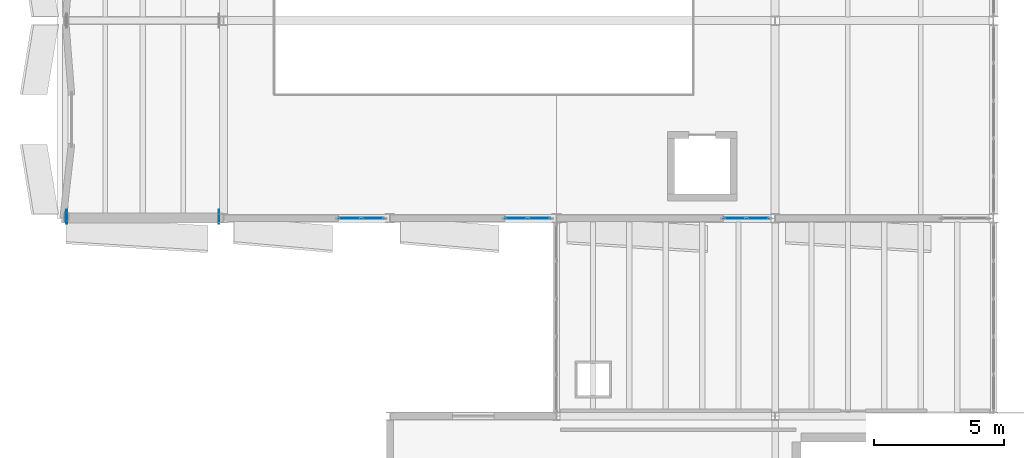
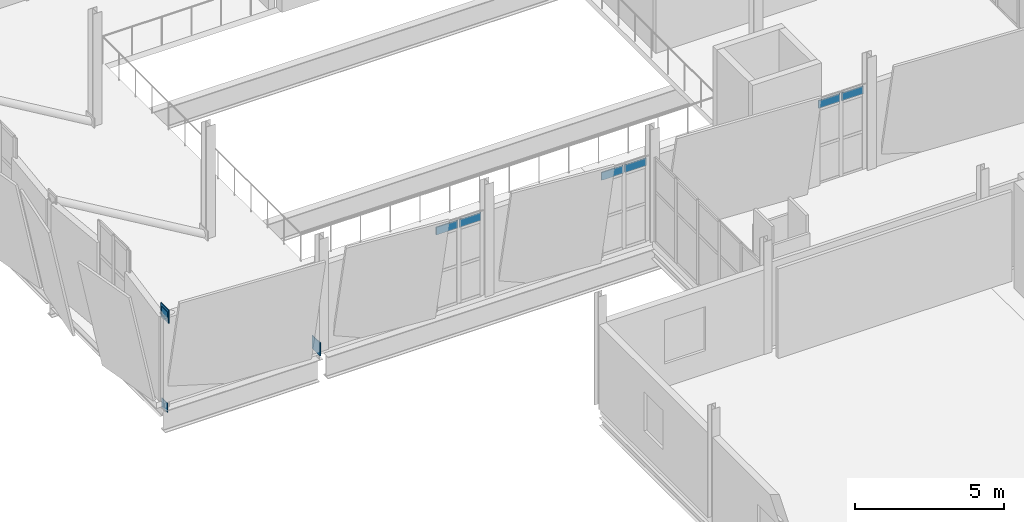
# One storey, part 109 of 136: 10 plates, 3 elements without a shape of their own.
"""IFC4 building model written with IfcOpenShell, lengths in metres."""

from ifc_helpers import new_model, si_unit, direction, frame, origin, origin_2d, place, context, subcontext, project, spatial, rectangle, extrude, material, layer, layer_set, type_object, element, aggregate, save


model = new_model("IFC4")

# Units and contexts
model_context = context("Model", 3, precision=1e-05, world=origin(), true_north=direction((0.0, 1.0)))
body_context = subcontext(model_context, "Body", "Model", "MODEL_VIEW")
ifc_project = project(units=[si_unit("LENGTHUNIT", "METRE"), si_unit("AREAUNIT", "SQUARE_METRE"), si_unit("VOLUMEUNIT", "CUBIC_METRE"), si_unit("PLANEANGLEUNIT", "RADIAN"), si_unit("MASSUNIT", "GRAM", prefix="KILO")], contexts=[model_context])

# Site, building, storey
site_placement = place(None, origin())
site = spatial("IfcSite", under=ifc_project, at=site_placement, CompositionType="ELEMENT")
building_placement = place(site_placement, origin())
building = spatial("IfcBuilding", under=site, at=building_placement, Name="Shengluoqiao Park Theatre", CompositionType="ELEMENT")
storey_placement = place(building_placement, frame((0.0, 0.0, 10.0)))
storey = spatial("IfcBuildingStorey", under=building, at=storey_placement, Name="L02", CompositionType="ELEMENT", Elevation=10.0)

# Curtain wall, plates
ifc_material_1 = material(Name="Aluminium 6063-T6", Category="aluminium")
curtain_wall_type = type_object("IfcCurtainWallType", Name="ENV-CW-STUDIO", PredefinedType="NOTDEFINED", material=ifc_material_1)
curtain_wall_1_placement = place(storey_placement, origin())
curtain_wall_1 = element("IfcCurtainWall", 1, at=curtain_wall_1_placement, inside=storey, type_object=curtain_wall_type, Name="L02 Curtain Wall CWX-L02-0023", PredefinedType="NOTDEFINED")
ifc_material_2 = material(Name="Insulated glass", Category="glass")
ifc_layer_1 = layer(ifc_material_2, 0.0380859375, Name="Insulated glass")
ifc_layer_set_1 = layer_set([ifc_layer_1], Name="Insulated glass")
plate_type_1 = type_object("IfcPlateType", Name="ENV-GLZ-GL-38", PredefinedType="CURTAIN_PANEL", material=ifc_layer_set_1)
plate_1_placement = place(storey_placement, frame((11.245849609375, 30.39990234375, 3.080078125), z_axis=(0.0, 0.0, 1.0), x_axis=(1.0, 0.0, 0.0)))
plate_1 = element("IfcPlate", 2, at=plate_1_placement, type_object=plate_type_1, Name="CW-02 panel 1.3", PredefinedType="CURTAIN_PANEL", context=body_context, shape_type="SweptSolid", body=[
    extrude(rectangle(XDim=0.83740234375, YDim=0.0380859375, at=origin_2d()), origin(), (0.0, 0.0, 1.0), 0.318115234375),
])
plate_2_placement = place(storey_placement, frame((12.143310546875, 30.39990234375, 3.080078125), z_axis=(0.0, 0.0, 1.0), x_axis=(1.0, 0.0, 0.0)))
plate_2 = element("IfcPlate", 3, at=plate_2_placement, type_object=plate_type_1, Name="CW-02 panel 2.3", PredefinedType="CURTAIN_PANEL", context=body_context, shape_type="SweptSolid", body=[
    extrude(rectangle(XDim=0.83740234375, YDim=0.0380859375, at=origin_2d()), origin(), (0.0, 0.0, 1.0), 0.318115234375),
])
aggregate(curtain_wall_1, [plate_1, plate_2])

curtain_wall_2_placement = place(storey_placement, origin())
curtain_wall_2 = element("IfcCurtainWall", 4, at=curtain_wall_2_placement, inside=storey, type_object=curtain_wall_type, Name="L02 Curtain Wall CWX-L02-0024", PredefinedType="NOTDEFINED")
plate_3_placement = place(storey_placement, frame((17.645751953125, 30.39990234375, 3.080078125), z_axis=(0.0, 0.0, 1.0), x_axis=(1.0, 0.0, 0.0)))
plate_3 = element("IfcPlate", 5, at=plate_3_placement, type_object=plate_type_1, Name="CW-02 panel 1.3", PredefinedType="CURTAIN_PANEL", context=body_context, shape_type="SweptSolid", body=[
    extrude(rectangle(XDim=0.83740234375, YDim=0.0380859375, at=origin_2d()), origin(), (0.0, 0.0, 1.0), 0.318115234375),
])
plate_4_placement = place(storey_placement, frame((18.543212890625, 30.39990234375, 3.080078125), z_axis=(0.0, 0.0, 1.0), x_axis=(1.0, 0.0, 0.0)))
plate_4 = element("IfcPlate", 6, at=plate_4_placement, type_object=plate_type_1, Name="CW-02 panel 2.3", PredefinedType="CURTAIN_PANEL", context=body_context, shape_type="SweptSolid", body=[
    extrude(rectangle(XDim=0.83740234375, YDim=0.0380859375, at=origin_2d()), origin(), (0.0, 0.0, 1.0), 0.318115234375),
])
aggregate(curtain_wall_2, [plate_3, plate_4])

curtain_wall_3_placement = place(storey_placement, origin())
curtain_wall_3 = element("IfcCurtainWall", 7, at=curtain_wall_3_placement, inside=storey, type_object=curtain_wall_type, Name="L02 Curtain Wall CWX-L02-0025", PredefinedType="NOTDEFINED")
plate_5_placement = place(storey_placement, frame((26.045654296875, 30.39990234375, 3.080078125), z_axis=(0.0, 0.0, 1.0), x_axis=(1.0, 0.0, 0.0)))
plate_5 = element("IfcPlate", 8, at=plate_5_placement, type_object=plate_type_1, Name="CW-02 panel 1.3", PredefinedType="CURTAIN_PANEL", context=body_context, shape_type="SweptSolid", body=[
    extrude(rectangle(XDim=0.83740234375, YDim=0.0380859375, at=origin_2d()), origin(), (0.0, 0.0, 1.0), 0.318115234375),
])
plate_6_placement = place(storey_placement, frame((26.943359375, 30.39990234375, 3.080078125), z_axis=(0.0, 0.0, 1.0), x_axis=(1.0, 0.0, 0.0)))
plate_6 = element("IfcPlate", 9, at=plate_6_placement, type_object=plate_type_1, Name="CW-02 panel 2.3", PredefinedType="CURTAIN_PANEL", context=body_context, shape_type="SweptSolid", body=[
    extrude(rectangle(XDim=0.83740234375, YDim=0.0380859375, at=origin_2d()), origin(), (0.0, 0.0, 1.0), 0.318115234375),
])
aggregate(curtain_wall_3, [plate_5, plate_6])

# Plates
ifc_material_3 = material(Name="Steel Q390", Category="steel")
ifc_layer_2 = layer(ifc_material_3, 0.02392578125, Name="Steel Q390")
ifc_layer_set_2 = layer_set([ifc_layer_2], Name="Steel Q390")
plate_type_2 = type_object("IfcPlateType", Name="STR-PLT-EC-360", PredefinedType="SHEET", material=ifc_layer_set_2)
for number, where, z_axis, x_axis, name in (
    (10, (0.360107421875, 30.4599609375, -0.44091796875), (0.0, 0.0, 1.0), (1.0, 0.0, 0.0), "Hollow Tube End Cap Plate 00042"),
    (11, (0.360107421875, 30.4599609375, 3.301025390625), (0.0, 0.0, 1.0), (1.0, 0.0, 0.0), "Hollow Tube End Cap Plate 00043"),
):
    element("IfcPlate", number, at=place(storey_placement, frame(where, z_axis=z_axis, x_axis=x_axis)), inside=storey, type_object=plate_type_2, Name=name, PredefinedType="SHEET", context=body_context, shape_type="SweptSolid", body=[
        extrude(rectangle(XDim=0.02392578125, YDim=0.3798828125, at=origin_2d()), origin(), (0.0, 0.0, 1.0), 0.3798828125),
    ])
ifc_layer_3 = layer(ifc_material_3, 0.033935546875, Name="Steel Q390")
ifc_layer_set_3 = layer_set([ifc_layer_3], Name="Steel Q390")
plate_type_3 = type_object("IfcPlateType", Name="STR-PLT-EC-540", PredefinedType="SHEET", material=ifc_layer_set_3)
for number, where, z_axis, x_axis, name in (
    (12, (6.22900390625, 30.4599609375, -0.14306640625), (0.0, 0.0, 1.0), (-1.0, 0.0, 0.0), "Hollow Tube End Cap Plate 00040"),
    (13, (0.3720703125, 30.4599609375, 3.242919921875), (0.0, 0.0, 1.0), (-1.0, 0.0, 0.0), "Hollow Tube End Cap Plate 00041"),
):
    element("IfcPlate", number, at=place(storey_placement, frame(where, z_axis=z_axis, x_axis=x_axis)), inside=storey, type_object=plate_type_3, Name=name, PredefinedType="SHEET", context=body_context, shape_type="SweptSolid", body=[
        extrude(rectangle(XDim=0.033935546875, YDim=0.5400390625, at=origin_2d()), origin(), (0.0, 0.0, 1.0), 0.5400390625),
    ])

save(model, "model.ifc")
